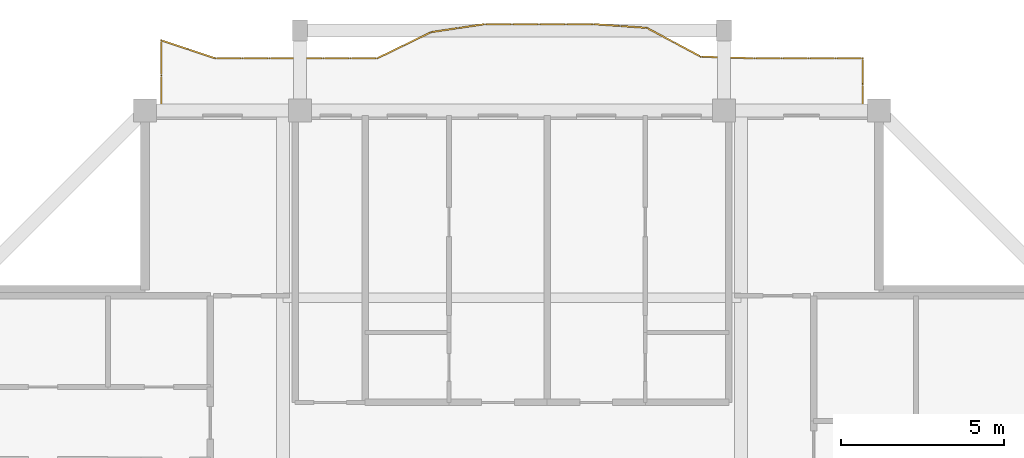
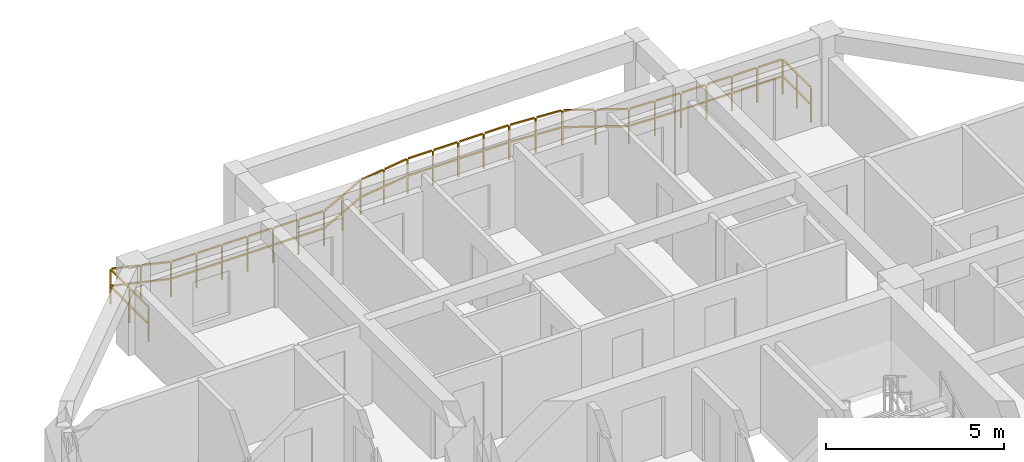
# One storey, part 14 of 14: 1 railing.
"""IFC4 building model written with IfcOpenShell, lengths in metres."""

from ifc_helpers import new_model, si_unit, direction, frame, origin, origin_2d, place, context, subcontext, project, spatial, rectangle, extrude, material, type_object, element, save


model = new_model("IFC4")

# Units and contexts
model_context = context("Model", 3, precision=1e-05, world=origin(), true_north=direction((0.0, 1.0)))
body_context = subcontext(model_context, "Body", "Model", "MODEL_VIEW")
ifc_project = project(units=[si_unit("LENGTHUNIT", "METRE"), si_unit("AREAUNIT", "SQUARE_METRE"), si_unit("VOLUMEUNIT", "CUBIC_METRE"), si_unit("PLANEANGLEUNIT", "RADIAN"), si_unit("MASSUNIT", "GRAM", prefix="KILO")], contexts=[model_context])

# Site, building, storey
site_placement = place(None, origin())
site = spatial("IfcSite", under=ifc_project, at=site_placement, CompositionType="ELEMENT")
building_placement = place(site_placement, origin())
building = spatial("IfcBuilding", under=site, at=building_placement, Name="Saelheon Loggia Tower", CompositionType="ELEMENT")
storey_placement = place(building_placement, frame((0.0, 0.0, 233.10009765625)))
storey = spatial("IfcBuildingStorey", under=building, at=storey_placement, Name="L72", CompositionType="ELEMENT", Elevation=233.10009765625)

# Railing
ifc_material = material(Name="Architectural Precast Concrete and Laminated Glass Guard", Category="concrete")
railing_type = type_object("IfcRailingType", Name="Guard_Loggia_RL_LOG", PredefinedType="BALUSTRADE", material=ifc_material)
railing_placement = place(storey_placement, frame((48.75, 48.0, 0.0)))
element("IfcRailing", 1, at=railing_placement, inside=storey, type_object=railing_type, Name="L72 North Loggia Balustrade", PredefinedType="BALUSTRADE", context=body_context, shape_type="SweptSolid", body=[
    extrude(rectangle(XDim=0.048095703125, YDim=0.048095703125, at=origin_2d()), frame((0.0, 0.033203125, 1.19580078125), z_axis=(0.0, 1.0, 0.0), x_axis=(-1.0, 0.0, 0.0)), (0.0, 0.0, 1.0), 0.733642578125),
    extrude(rectangle(XDim=0.048095703125, YDim=0.048095703125, at=origin_2d()), frame((0.0, 0.033203125, 0.60986328125), z_axis=(0.0, 1.0, 0.0), x_axis=(-1.0, 0.0, 0.0)), (0.0, 0.0, 1.0), 0.733642578125),
    extrude(rectangle(XDim=0.048095703125, YDim=0.048095703125, at=origin_2d()), frame((0.0, 0.833251953125, 1.19580078125), z_axis=(0.0, 1.0, 0.0), x_axis=(-1.0, 0.0, 0.0)), (0.0, 0.0, 1.0), 0.733642578125),
    extrude(rectangle(XDim=0.048095703125, YDim=0.048095703125, at=origin_2d()), frame((0.0, 0.833251953125, 0.60986328125), z_axis=(0.0, 1.0, 0.0), x_axis=(-1.0, 0.0, 0.0)), (0.0, 0.0, 1.0), 0.733642578125),
    extrude(rectangle(XDim=0.048095703125, YDim=0.048095703125, at=origin_2d()), frame((-0.033203125, 1.60009765625, 1.19580078125), z_axis=(-1.0, 0.0, 0.0), x_axis=(0.0, -1.0, 0.0)), (0.0, 0.0, 1.0), 0.760498046875),
    extrude(rectangle(XDim=0.048095703125, YDim=0.048095703125, at=origin_2d()), frame((-0.033203125, 1.60009765625, 0.60986328125), z_axis=(-1.0, 0.0, 0.0), x_axis=(0.0, -1.0, 0.0)), (0.0, 0.0, 1.0), 0.760498046875),
    extrude(rectangle(XDim=0.048095703125, YDim=0.048095703125, at=origin_2d()), frame((-0.860107421875, 1.60009765625, 1.19580078125), z_axis=(-1.0, 0.0, 0.0), x_axis=(0.0, -1.0, 0.0)), (0.0, 0.0, 1.0), 0.760498046875),
    extrude(rectangle(XDim=0.048095703125, YDim=0.048095703125, at=origin_2d()), frame((-0.860107421875, 1.60009765625, 0.60986328125), z_axis=(-1.0, 0.0, 0.0), x_axis=(0.0, -1.0, 0.0)), (0.0, 0.0, 1.0), 0.760498046875),
    extrude(rectangle(XDim=0.048095703125, YDim=0.048095703125, at=origin_2d()), frame((-1.68701171875, 1.60009765625, 1.19580078125), z_axis=(-1.0, 0.0, 0.0), x_axis=(0.0, -1.0, 0.0)), (0.0, 0.0, 1.0), 0.760498046875),
    extrude(rectangle(XDim=0.048095703125, YDim=0.048095703125, at=origin_2d()), frame((-1.68701171875, 1.60009765625, 0.60986328125), z_axis=(-1.0, 0.0, 0.0), x_axis=(0.0, -1.0, 0.0)), (0.0, 0.0, 1.0), 0.760498046875),
    extrude(rectangle(XDim=0.048095703125, YDim=0.048095703125, at=origin_2d()), frame((-2.513916015625, 1.60009765625, 1.19580078125), z_axis=(-1.0, 0.0, 0.0), x_axis=(0.0, -1.0, 0.0)), (0.0, 0.0, 1.0), 0.760498046875),
    extrude(rectangle(XDim=0.048095703125, YDim=0.048095703125, at=origin_2d()), frame((-2.513916015625, 1.60009765625, 0.60986328125), z_axis=(-1.0, 0.0, 0.0), x_axis=(0.0, -1.0, 0.0)), (0.0, 0.0, 1.0), 0.760498046875),
    extrude(rectangle(XDim=0.048095703125, YDim=0.048095703125, at=origin_2d()), frame((-3.3408203125, 1.60107421875, 1.19580078125), z_axis=(-0.999510635503, 0.031280817054, 0.0), x_axis=(-0.031280817054, -0.999510635503, 0.0)), (0.0, 0.0, 1.0), 0.7607421875),
    extrude(rectangle(XDim=0.048095703125, YDim=0.048095703125, at=origin_2d()), frame((-3.3408203125, 1.60107421875, 0.60986328125), z_axis=(-0.999510635503, 0.031280817054, 0.0), x_axis=(-0.031280817054, -0.999510635503, 0.0)), (0.0, 0.0, 1.0), 0.7607421875),
    extrude(rectangle(XDim=0.048095703125, YDim=0.048095703125, at=origin_2d()), frame((-4.167724609375, 1.626953125, 1.19580078125), z_axis=(-0.999510635503, 0.031280817054, 0.0), x_axis=(-0.031280817054, -0.999510635503, 0.0)), (0.0, 0.0, 1.0), 0.7607421875),
    extrude(rectangle(XDim=0.048095703125, YDim=0.048095703125, at=origin_2d()), frame((-4.167724609375, 1.626953125, 0.60986328125), z_axis=(-0.999510635503, 0.031280817054, 0.0), x_axis=(-0.031280817054, -0.999510635503, 0.0)), (0.0, 0.0, 1.0), 0.7607421875),
    extrude(rectangle(XDim=0.048095703125, YDim=0.048095703125, at=origin_2d()), frame((-4.99072265625, 1.66748046875, 1.19580078125), z_axis=(-0.882425040015, 0.470453025024, 0.0), x_axis=(-0.470453025024, -0.882425040015, 0.0)), (0.0, 0.0, 1.0), 0.870849609375),
    extrude(rectangle(XDim=0.048095703125, YDim=0.048095703125, at=origin_2d()), frame((-4.99072265625, 1.66748046875, 0.60986328125), z_axis=(-0.882425040015, 0.470453025024, 0.0), x_axis=(-0.470453025024, -0.882425040015, 0.0)), (0.0, 0.0, 1.0), 0.870849609375),
    extrude(rectangle(XDim=0.048095703125, YDim=0.048095703125, at=origin_2d()), frame((-5.81787109375, 2.1083984375, 1.19580078125), z_axis=(-0.882425040015, 0.470453025024, 0.0), x_axis=(-0.470453025024, -0.882425040015, 0.0)), (0.0, 0.0, 1.0), 0.870849609375),
    extrude(rectangle(XDim=0.048095703125, YDim=0.048095703125, at=origin_2d()), frame((-5.81787109375, 2.1083984375, 0.60986328125), z_axis=(-0.882425040015, 0.470453025024, 0.0), x_axis=(-0.470453025024, -0.882425040015, 0.0)), (0.0, 0.0, 1.0), 0.870849609375),
    extrude(rectangle(XDim=0.048095703125, YDim=0.048095703125, at=origin_2d()), frame((-6.648681640625, 2.5361328125, 1.19580078125), z_axis=(-0.997540262026, 0.070095831816, 0.0), x_axis=(-0.070095831816, -0.997540262026, 0.0)), (0.0, 0.0, 1.0), 0.762451171875),
    extrude(rectangle(XDim=0.048095703125, YDim=0.048095703125, at=origin_2d()), frame((-6.648681640625, 2.5361328125, 0.60986328125), z_axis=(-0.997540262026, 0.070095831816, 0.0), x_axis=(-0.070095831816, -0.997540262026, 0.0)), (0.0, 0.0, 1.0), 0.762451171875),
    extrude(rectangle(XDim=0.048095703125, YDim=0.048095703125, at=origin_2d()), frame((-7.4755859375, 2.59423828125, 1.19580078125), z_axis=(-0.997540262026, 0.070095831816, 0.0), x_axis=(-0.070095831816, -0.997540262026, 0.0)), (0.0, 0.0, 1.0), 0.762451171875),
    extrude(rectangle(XDim=0.048095703125, YDim=0.048095703125, at=origin_2d()), frame((-7.4755859375, 2.59423828125, 0.60986328125), z_axis=(-0.997540262026, 0.070095831816, 0.0), x_axis=(-0.070095831816, -0.997540262026, 0.0)), (0.0, 0.0, 1.0), 0.762451171875),
    extrude(rectangle(XDim=0.048095703125, YDim=0.048095703125, at=origin_2d()), frame((-8.302490234375, 2.64990234375, 1.19580078125), z_axis=(-1.0, 0.0, 0.0), x_axis=(0.0, -1.0, 0.0)), (0.0, 0.0, 1.0), 0.760498046875),
    extrude(rectangle(XDim=0.048095703125, YDim=0.048095703125, at=origin_2d()), frame((-8.302490234375, 2.64990234375, 0.60986328125), z_axis=(-1.0, 0.0, 0.0), x_axis=(0.0, -1.0, 0.0)), (0.0, 0.0, 1.0), 0.760498046875),
    extrude(rectangle(XDim=0.048095703125, YDim=0.048095703125, at=origin_2d()), frame((-9.12939453125, 2.64990234375, 1.19580078125), z_axis=(-1.0, 0.0, 0.0), x_axis=(0.0, -1.0, 0.0)), (0.0, 0.0, 1.0), 0.760498046875),
    extrude(rectangle(XDim=0.048095703125, YDim=0.048095703125, at=origin_2d()), frame((-9.12939453125, 2.64990234375, 0.60986328125), z_axis=(-1.0, 0.0, 0.0), x_axis=(0.0, -1.0, 0.0)), (0.0, 0.0, 1.0), 0.760498046875),
    extrude(rectangle(XDim=0.048095703125, YDim=0.048095703125, at=origin_2d()), frame((-9.956298828125, 2.64990234375, 1.19580078125), z_axis=(-1.0, 0.0, 0.0), x_axis=(0.0, -1.0, 0.0)), (0.0, 0.0, 1.0), 0.760498046875),
    extrude(rectangle(XDim=0.048095703125, YDim=0.048095703125, at=origin_2d()), frame((-9.956298828125, 2.64990234375, 0.60986328125), z_axis=(-1.0, 0.0, 0.0), x_axis=(0.0, -1.0, 0.0)), (0.0, 0.0, 1.0), 0.760498046875),
    extrude(rectangle(XDim=0.048095703125, YDim=0.048095703125, at=origin_2d()), frame((-10.783203125, 2.64990234375, 1.19580078125), z_axis=(-1.0, 0.0, 0.0), x_axis=(0.0, -1.0, 0.0)), (0.0, 0.0, 1.0), 0.760498046875),
    extrude(rectangle(XDim=0.048095703125, YDim=0.048095703125, at=origin_2d()), frame((-10.783203125, 2.64990234375, 0.60986328125), z_axis=(-1.0, 0.0, 0.0), x_axis=(0.0, -1.0, 0.0)), (0.0, 0.0, 1.0), 0.760498046875),
    extrude(rectangle(XDim=0.048095703125, YDim=0.048095703125, at=origin_2d()), frame((-11.60986328125, 2.64501953125, 1.19580078125), z_axis=(-0.989087914508, -0.147326499223, 0.0), x_axis=(0.147326499223, -0.989087914508, 0.0)), (0.0, 0.0, 1.0), 0.76953125),
    extrude(rectangle(XDim=0.048095703125, YDim=0.048095703125, at=origin_2d()), frame((-11.60986328125, 2.64501953125, 0.60986328125), z_axis=(-0.989087914508, -0.147326499223, 0.0), x_axis=(0.147326499223, -0.989087914508, 0.0)), (0.0, 0.0, 1.0), 0.76953125),
    extrude(rectangle(XDim=0.048095703125, YDim=0.048095703125, at=origin_2d()), frame((-12.436767578125, 2.521728515625, 1.19580078125), z_axis=(-0.989087914508, -0.147326499223, 0.0), x_axis=(0.147326499223, -0.989087914508, 0.0)), (0.0, 0.0, 1.0), 0.76953125),
    extrude(rectangle(XDim=0.048095703125, YDim=0.048095703125, at=origin_2d()), frame((-12.436767578125, 2.521728515625, 0.60986328125), z_axis=(-0.989087914508, -0.147326499223, 0.0), x_axis=(0.147326499223, -0.989087914508, 0.0)), (0.0, 0.0, 1.0), 0.76953125),
    extrude(rectangle(XDim=0.048095703125, YDim=0.048095703125, at=origin_2d()), frame((-13.260498046875, 2.38916015625, 1.19580078125), z_axis=(-0.899467899067, -0.436986840246, 0.0), x_axis=(0.436986840246, -0.899467899067, 0.0)), (0.0, 0.0, 1.0), 0.852783203125),
    extrude(rectangle(XDim=0.048095703125, YDim=0.048095703125, at=origin_2d()), frame((-13.260498046875, 2.38916015625, 0.60986328125), z_axis=(-0.899467899067, -0.436986840246, 0.0), x_axis=(0.436986840246, -0.899467899067, 0.0)), (0.0, 0.0, 1.0), 0.852783203125),
    extrude(rectangle(XDim=0.048095703125, YDim=0.048095703125, at=origin_2d()), frame((-14.08740234375, 1.9873046875, 1.19580078125), z_axis=(-0.899467899067, -0.436986840246, 0.0), x_axis=(0.436986840246, -0.899467899067, 0.0)), (0.0, 0.0, 1.0), 0.852783203125),
    extrude(rectangle(XDim=0.048095703125, YDim=0.048095703125, at=origin_2d()), frame((-14.08740234375, 1.9873046875, 0.60986328125), z_axis=(-0.899467899067, -0.436986840246, 0.0), x_axis=(0.436986840246, -0.899467899067, 0.0)), (0.0, 0.0, 1.0), 0.852783203125),
    extrude(rectangle(XDim=0.048095703125, YDim=0.048095703125, at=origin_2d()), frame((-14.917724609375, 1.60009765625, 1.19580078125), z_axis=(-1.0, 0.0, 0.0), x_axis=(0.0, -1.0, 0.0)), (0.0, 0.0, 1.0), 0.760498046875),
    extrude(rectangle(XDim=0.048095703125, YDim=0.048095703125, at=origin_2d()), frame((-14.917724609375, 1.60009765625, 0.60986328125), z_axis=(-1.0, 0.0, 0.0), x_axis=(0.0, -1.0, 0.0)), (0.0, 0.0, 1.0), 0.760498046875),
    extrude(rectangle(XDim=0.048095703125, YDim=0.048095703125, at=origin_2d()), frame((-15.744873046875, 1.60009765625, 1.19580078125), z_axis=(-1.0, 0.0, 0.0), x_axis=(0.0, -1.0, 0.0)), (0.0, 0.0, 1.0), 0.760498046875),
    extrude(rectangle(XDim=0.048095703125, YDim=0.048095703125, at=origin_2d()), frame((-15.744873046875, 1.60009765625, 0.60986328125), z_axis=(-1.0, 0.0, 0.0), x_axis=(0.0, -1.0, 0.0)), (0.0, 0.0, 1.0), 0.760498046875),
    extrude(rectangle(XDim=0.048095703125, YDim=0.048095703125, at=origin_2d()), frame((-16.57177734375, 1.60009765625, 1.19580078125), z_axis=(-1.0, 0.0, 0.0), x_axis=(0.0, -1.0, 0.0)), (0.0, 0.0, 1.0), 0.760498046875),
    extrude(rectangle(XDim=0.048095703125, YDim=0.048095703125, at=origin_2d()), frame((-16.57177734375, 1.60009765625, 0.60986328125), z_axis=(-1.0, 0.0, 0.0), x_axis=(0.0, -1.0, 0.0)), (0.0, 0.0, 1.0), 0.760498046875),
    extrude(rectangle(XDim=0.048095703125, YDim=0.048095703125, at=origin_2d()), frame((-17.398681640625, 1.60009765625, 1.19580078125), z_axis=(-1.0, 0.0, 0.0), x_axis=(0.0, -1.0, 0.0)), (0.0, 0.0, 1.0), 0.760498046875),
    extrude(rectangle(XDim=0.048095703125, YDim=0.048095703125, at=origin_2d()), frame((-17.398681640625, 1.60009765625, 0.60986328125), z_axis=(-1.0, 0.0, 0.0), x_axis=(0.0, -1.0, 0.0)), (0.0, 0.0, 1.0), 0.760498046875),
    extrude(rectangle(XDim=0.048095703125, YDim=0.048095703125, at=origin_2d()), frame((-18.2255859375, 1.60009765625, 1.19580078125), z_axis=(-1.0, 0.0, 0.0), x_axis=(0.0, -1.0, 0.0)), (0.0, 0.0, 1.0), 0.760498046875),
    extrude(rectangle(XDim=0.048095703125, YDim=0.048095703125, at=origin_2d()), frame((-18.2255859375, 1.60009765625, 0.60986328125), z_axis=(-1.0, 0.0, 0.0), x_axis=(0.0, -1.0, 0.0)), (0.0, 0.0, 1.0), 0.760498046875),
    extrude(rectangle(XDim=0.048095703125, YDim=0.048095703125, at=origin_2d()), frame((-19.052490234375, 1.60009765625, 1.19580078125), z_axis=(-1.0, 0.0, 0.0), x_axis=(0.0, -1.0, 0.0)), (0.0, 0.0, 1.0), 0.760498046875),
    extrude(rectangle(XDim=0.048095703125, YDim=0.048095703125, at=origin_2d()), frame((-19.052490234375, 1.60009765625, 0.60986328125), z_axis=(-1.0, 0.0, 0.0), x_axis=(0.0, -1.0, 0.0)), (0.0, 0.0, 1.0), 0.760498046875),
    extrude(rectangle(XDim=0.048095703125, YDim=0.048095703125, at=origin_2d()), frame((-19.877685546875, 1.610595703125, 1.19580078125), z_axis=(-0.948935149289, 0.315471206997, 0.0), x_axis=(-0.315471206997, -0.948935149289, 0.0)), (0.0, 0.0, 1.0), 0.804931640625),
    extrude(rectangle(XDim=0.048095703125, YDim=0.048095703125, at=origin_2d()), frame((-19.877685546875, 1.610595703125, 0.60986328125), z_axis=(-0.948935149289, 0.315471206997, 0.0), x_axis=(-0.315471206997, -0.948935149289, 0.0)), (0.0, 0.0, 1.0), 0.804931640625),
    extrude(rectangle(XDim=0.048095703125, YDim=0.048095703125, at=origin_2d()), frame((-20.70458984375, 1.885498046875, 1.19580078125), z_axis=(-0.948935149289, 0.315471206997, 0.0), x_axis=(-0.315471206997, -0.948935149289, 0.0)), (0.0, 0.0, 1.0), 0.804931640625),
    extrude(rectangle(XDim=0.048095703125, YDim=0.048095703125, at=origin_2d()), frame((-20.70458984375, 1.885498046875, 0.60986328125), z_axis=(-0.948935149289, 0.315471206997, 0.0), x_axis=(-0.315471206997, -0.948935149289, 0.0)), (0.0, 0.0, 1.0), 0.804931640625),
    extrude(rectangle(XDim=0.048095703125, YDim=0.048095703125, at=origin_2d()), frame((-21.5, 2.11669921875, 1.19580078125), z_axis=(0.0, -1.0, 0.0), x_axis=(1.0, 0.0, 0.0)), (0.0, 0.0, 1.0), 1.008544921875),
    extrude(rectangle(XDim=0.048095703125, YDim=0.048095703125, at=origin_2d()), frame((-21.5, 2.11669921875, 0.60986328125), z_axis=(0.0, -1.0, 0.0), x_axis=(1.0, 0.0, 0.0)), (0.0, 0.0, 1.0), 1.008544921875),
    extrude(rectangle(XDim=0.048095703125, YDim=0.048095703125, at=origin_2d()), frame((-21.5, 1.041748046875, 1.19580078125), z_axis=(0.0, -1.0, 0.0), x_axis=(1.0, 0.0, 0.0)), (0.0, 0.0, 1.0), 1.008544921875),
    extrude(rectangle(XDim=0.048095703125, YDim=0.048095703125, at=origin_2d()), frame((-21.5, 1.041748046875, 0.60986328125), z_axis=(0.0, -1.0, 0.0), x_axis=(1.0, 0.0, 0.0)), (0.0, 0.0, 1.0), 1.008544921875),
    extrude(rectangle(XDim=0.0419921875, YDim=0.0419921875, at=origin_2d()), origin(), (0.0, 0.0, 1.0), 1.16796875),
    extrude(rectangle(XDim=0.0419921875, YDim=0.0419921875, at=origin_2d()), frame((0.0, 0.800048828125, 0.0)), (0.0, 0.0, 1.0), 1.16796875),
    extrude(rectangle(XDim=0.0419921875, YDim=0.0419921875, at=origin_2d()), frame((0.0, 1.60009765625, 0.0)), (0.0, 0.0, 1.0), 1.16796875),
    extrude(rectangle(XDim=0.0419921875, YDim=0.0419921875, at=origin_2d()), frame((-0.826904296875, 1.60009765625, 0.0)), (0.0, 0.0, 1.0), 1.16796875),
    extrude(rectangle(XDim=0.0419921875, YDim=0.0419921875, at=origin_2d()), frame((-1.65380859375, 1.60009765625, 0.0)), (0.0, 0.0, 1.0), 1.16796875),
    extrude(rectangle(XDim=0.0419921875, YDim=0.0419921875, at=origin_2d()), frame((-2.480712890625, 1.60009765625, 0.0)), (0.0, 0.0, 1.0), 1.16796875),
    extrude(rectangle(XDim=0.0419921875, YDim=0.0419921875, at=origin_2d()), frame((-3.3076171875, 1.60009765625, 0.0)), (0.0, 0.0, 1.0), 1.16796875),
    extrude(rectangle(XDim=0.0419921875, YDim=0.0419921875, at=origin_2d()), frame((-4.134521484375, 1.6259765625, 0.0)), (0.0, 0.0, 1.0), 1.16796875),
    extrude(rectangle(XDim=0.0419921875, YDim=0.0419921875, at=origin_2d()), frame((-4.96142578125, 1.65185546875, 0.0)), (0.0, 0.0, 1.0), 1.16796875),
    extrude(rectangle(XDim=0.0419921875, YDim=0.0419921875, at=origin_2d()), frame((-5.78857421875, 2.0927734375, 0.0)), (0.0, 0.0, 1.0), 1.16796875),
    extrude(rectangle(XDim=0.0419921875, YDim=0.0419921875, at=origin_2d()), frame((-6.615478515625, 2.53369140625, 0.0)), (0.0, 0.0, 1.0), 1.16796875),
    extrude(rectangle(XDim=0.0419921875, YDim=0.0419921875, at=origin_2d()), frame((-7.4423828125, 2.591796875, 0.0)), (0.0, 0.0, 1.0), 1.16796875),
    extrude(rectangle(XDim=0.0419921875, YDim=0.0419921875, at=origin_2d()), frame((-8.269287109375, 2.64990234375, 0.0)), (0.0, 0.0, 1.0), 1.16796875),
    extrude(rectangle(XDim=0.0419921875, YDim=0.0419921875, at=origin_2d()), frame((-9.09619140625, 2.64990234375, 0.0)), (0.0, 0.0, 1.0), 1.16796875),
    extrude(rectangle(XDim=0.0419921875, YDim=0.0419921875, at=origin_2d()), frame((-9.923095703125, 2.64990234375, 0.0)), (0.0, 0.0, 1.0), 1.16796875),
    extrude(rectangle(XDim=0.0419921875, YDim=0.0419921875, at=origin_2d()), frame((-10.75, 2.64990234375, 0.0)), (0.0, 0.0, 1.0), 1.16796875),
    extrude(rectangle(XDim=0.0419921875, YDim=0.0419921875, at=origin_2d()), frame((-11.576904296875, 2.64990234375, 0.0)), (0.0, 0.0, 1.0), 1.16796875),
    extrude(rectangle(XDim=0.0419921875, YDim=0.0419921875, at=origin_2d()), frame((-12.40380859375, 2.52685546875, 0.0)), (0.0, 0.0, 1.0), 1.16796875),
    extrude(rectangle(XDim=0.0419921875, YDim=0.0419921875, at=origin_2d()), frame((-13.230712890625, 2.403564453125, 0.0)), (0.0, 0.0, 1.0), 1.16796875),
    extrude(rectangle(XDim=0.0419921875, YDim=0.0419921875, at=origin_2d()), frame((-14.0576171875, 2.001953125, 0.0)), (0.0, 0.0, 1.0), 1.16796875),
    extrude(rectangle(XDim=0.0419921875, YDim=0.0419921875, at=origin_2d()), frame((-14.884521484375, 1.60009765625, 0.0)), (0.0, 0.0, 1.0), 1.16796875),
    extrude(rectangle(XDim=0.0419921875, YDim=0.0419921875, at=origin_2d()), frame((-15.71142578125, 1.60009765625, 0.0)), (0.0, 0.0, 1.0), 1.16796875),
    extrude(rectangle(XDim=0.0419921875, YDim=0.0419921875, at=origin_2d()), frame((-16.53857421875, 1.60009765625, 0.0)), (0.0, 0.0, 1.0), 1.16796875),
    extrude(rectangle(XDim=0.0419921875, YDim=0.0419921875, at=origin_2d()), frame((-17.365478515625, 1.60009765625, 0.0)), (0.0, 0.0, 1.0), 1.16796875),
    extrude(rectangle(XDim=0.0419921875, YDim=0.0419921875, at=origin_2d()), frame((-18.1923828125, 1.60009765625, 0.0)), (0.0, 0.0, 1.0), 1.16796875),
    extrude(rectangle(XDim=0.0419921875, YDim=0.0419921875, at=origin_2d()), frame((-19.019287109375, 1.60009765625, 0.0)), (0.0, 0.0, 1.0), 1.16796875),
    extrude(rectangle(XDim=0.0419921875, YDim=0.0419921875, at=origin_2d()), frame((-19.84619140625, 1.60009765625, 0.0)), (0.0, 0.0, 1.0), 1.16796875),
    extrude(rectangle(XDim=0.0419921875, YDim=0.0419921875, at=origin_2d()), frame((-20.673095703125, 1.875, 0.0)), (0.0, 0.0, 1.0), 1.16796875),
    extrude(rectangle(XDim=0.0419921875, YDim=0.0419921875, at=origin_2d()), frame((-21.5, 2.14990234375, 0.0)), (0.0, 0.0, 1.0), 1.16796875),
    extrude(rectangle(XDim=0.0419921875, YDim=0.0419921875, at=origin_2d()), frame((-21.5, 1.074951171875, 0.0)), (0.0, 0.0, 1.0), 1.16796875),
    extrude(rectangle(XDim=0.0419921875, YDim=0.0419921875, at=origin_2d()), frame((-21.5, 0.0, 0.0)), (0.0, 0.0, 1.0), 1.16796875),
])

save(model, "model.ifc")
